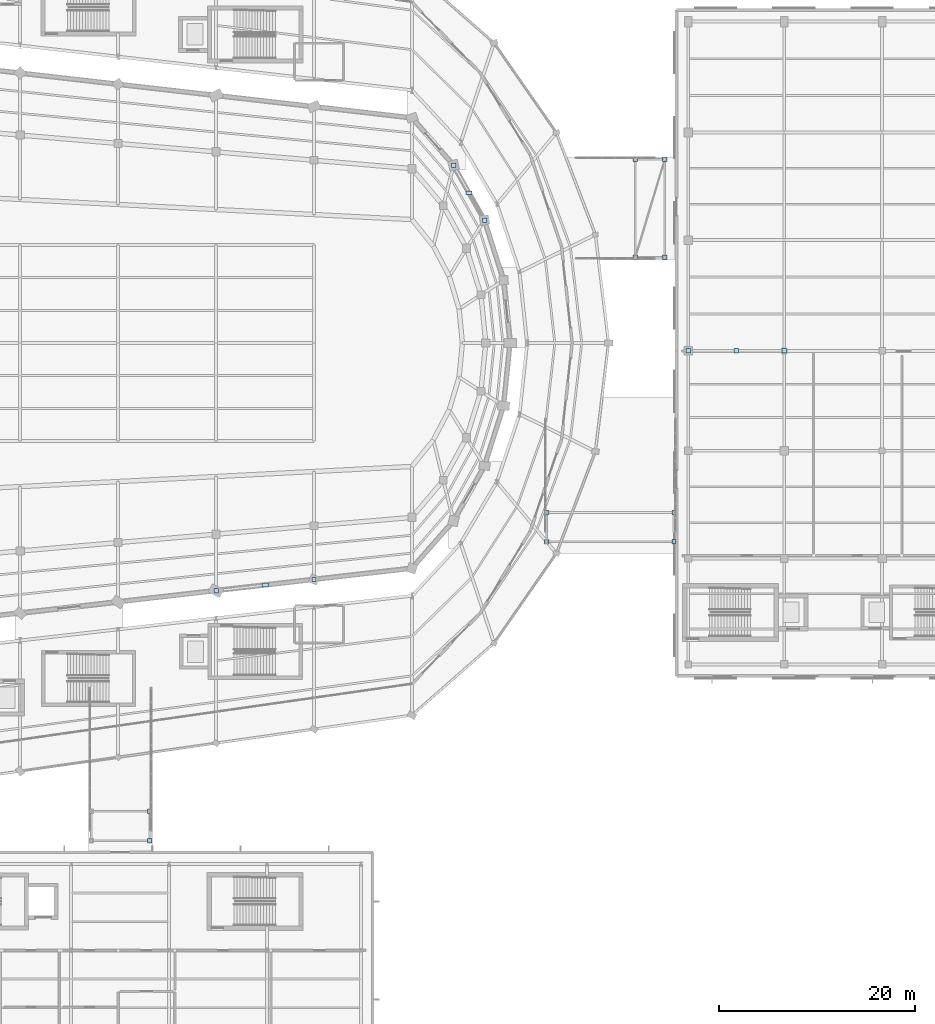
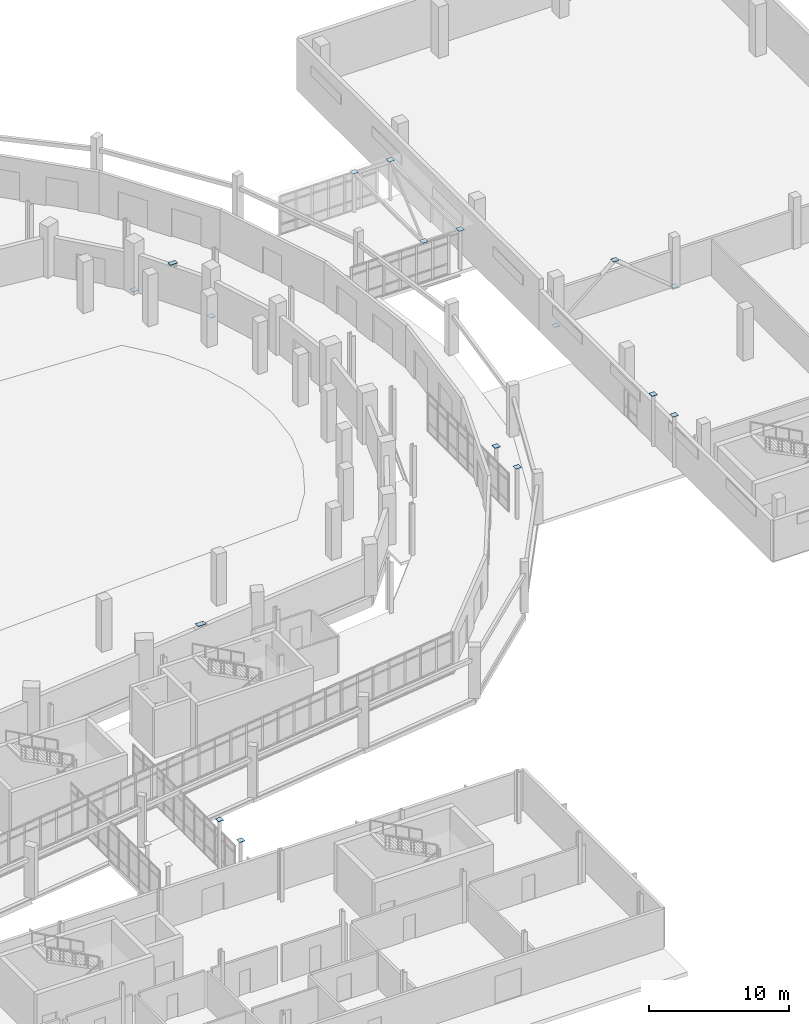
# One storey, part 98 of 122: 19 plates.
"""IFC4 building model written with IfcOpenShell, lengths in metres."""

from ifc_helpers import new_model, si_unit, direction, frame, origin, origin_2d, place, context, subcontext, project, spatial, rectangle, extrude, material, layer, layer_set, type_object, element, save


model = new_model("IFC4")

# Units and contexts
model_context = context("Model", 3, precision=1e-05, world=origin(), true_north=direction((0.0, 1.0)))
body_context = subcontext(model_context, "Body", "Model", "MODEL_VIEW")
ifc_project = project(units=[si_unit("LENGTHUNIT", "METRE"), si_unit("AREAUNIT", "SQUARE_METRE"), si_unit("VOLUMEUNIT", "CUBIC_METRE"), si_unit("PLANEANGLEUNIT", "RADIAN"), si_unit("MASSUNIT", "GRAM", prefix="KILO")], contexts=[model_context])

# Site, building, storey
site_placement = place(None, origin())
site = spatial("IfcSite", under=ifc_project, at=site_placement, CompositionType="ELEMENT")
building_placement = place(site_placement, origin())
building = spatial("IfcBuilding", under=site, at=building_placement, Name="Sohan Crest Arena", CompositionType="ELEMENT")
storey_placement = place(building_placement, origin())
storey = spatial("IfcBuildingStorey", under=building, at=storey_placement, Name="L00", CompositionType="ELEMENT", Elevation=0.0)

# Plates
ifc_material = material(Name="Steel S355", Category="steel")
ifc_layer_1 = layer(ifc_material, 0.031982421875, Name="Steel S355")
ifc_layer_set_1 = layer_set([ifc_layer_1], Name="Steel S355")
plate_type_1 = type_object("IfcPlateType", Name="STR-PL-BP01", PredefinedType="USERDEFINED", material=ifc_layer_set_1)
for number, where, z_axis, x_axis, name in (
    (1, (181.75, 57.699951171875, 4.487548828125), (0.0, 0.0, 1.0), (1.0, 0.0, 0.0), "Hollow section end cap plate ECP-0058"),
    (2, (181.75, 60.699951171875, 4.487548828125), (0.0, 0.0, 1.0), (1.0, 0.0, 0.0), "Hollow section end cap plate ECP-0062"),
    (3, (194.75, 57.699951171875, 4.487548828125), (0.0, 0.0, 1.0), (1.0, 0.0, 0.0), "Hollow section end cap plate ECP-0066"),
    (4, (194.75, 60.699951171875, 4.487548828125), (0.0, 0.0, 1.0), (1.0, 0.0, 0.0), "Hollow section end cap plate ECP-0070"),
    (5, (190.800048828125, 86.75, 3.462646484375), (0.0, 0.0, 1.0), (1.0, 0.0, 0.0), "Hollow section end cap plate ECP-0074"),
    (6, (193.800048828125, 86.75, 3.462646484375), (0.0, 0.0, 1.0), (1.0, 0.0, 0.0), "Hollow section end cap plate ECP-0076"),
    (7, (190.800048828125, 96.75, 3.462646484375), (0.0, 0.0, 1.0), (1.0, 0.0, 0.0), "Hollow section end cap plate ECP-0078"),
    (8, (193.800048828125, 96.75, 3.462646484375), (0.0, 0.0, 1.0), (1.0, 0.0, 0.0), "Hollow section end cap plate ECP-0080"),
    (9, (141.25, 27.199951171875, 4.487548828125), (0.0, 0.0, 1.0), (1.0, 0.0, 0.0), "Hollow section end cap plate ECP-0106"),
    (10, (141.25, 30.199951171875, 4.487548828125), (0.0, 0.0, 1.0), (1.0, 0.0, 0.0), "Hollow section end cap plate ECP-0110"),
    (11, (148.0, 52.714111328125, -0.012451171875), (0.0, 0.0, 1.0), (1.0, 0.0, 0.0), "Hollow section end cap plate ECP-0515"),
    (12, (158.0, 53.85693359375, -0.012451171875), (0.0, 0.0, 1.0), (1.0, 0.0, 0.0), "Hollow section end cap plate ECP-0516"),
    (13, (175.408935546875, 90.544921875, -0.012451171875), (0.0, 0.0, 1.0), (1.0, 0.0, 0.0), "Hollow section end cap plate ECP-0523"),
    (14, (172.242919921875, 96.154052734375, -0.012451171875), (0.0, 0.0, 1.0), (1.0, 0.0, 0.0), "Hollow section end cap plate ECP-0524"),
    (15, (196.199951171875, 77.199951171875, -0.012451171875), (0.0, 0.0, 1.0), (1.0, 0.0, 0.0), "Hollow section end cap plate ECP-0531"),
    (16, (201.10009765625, 77.199951171875, 4.007568359375), (0.0, 0.0, 1.0), (1.0, 0.0, 0.0), "Hollow section end cap plate ECP-0532"),
    (17, (206.0, 77.199951171875, -0.012451171875), (0.0, 0.0, 1.0), (1.0, 0.0, 0.0), "Hollow section end cap plate ECP-0533"),
):
    element("IfcPlate", number, at=place(storey_placement, frame(where, z_axis=z_axis, x_axis=x_axis)), inside=storey, type_object=plate_type_1, Name=name, ObjectType="BASE PLATE", PredefinedType="USERDEFINED", context=body_context, shape_type="SweptSolid", body=[
        extrude(rectangle(XDim=0.449951171875, YDim=0.449951171875, at=origin_2d()), origin(), (0.0, 0.0, 1.0), 0.02490234375),
    ])
ifc_layer_2 = layer(ifc_material, 0.02197265625, Name="Steel S355")
ifc_layer_set_2 = layer_set([ifc_layer_2], Name="Steel S355")
plate_type_2 = type_object("IfcPlateType", Name="STR-PL-SP02", PredefinedType="SHEET", material=ifc_layer_set_2)
plate_1_placement = place(storey_placement, frame((173.825927734375, 93.35009765625, 3.489013671875), z_axis=(0.0, 0.0, 1.0), x_axis=(1.0, 0.0, 0.0)))
element("IfcPlate", 18, at=plate_1_placement, inside=storey, type_object=plate_type_2, Name="Brace connection sheet plate SP-BR026", PredefinedType="SHEET", context=body_context, shape_type="SweptSolid", body=[
    extrude(rectangle(XDim=0.60009765625, YDim=0.3798828125, at=origin_2d()), origin(), (0.0, 0.0, 1.0), 0.02197265625),
])
ifc_layer_3 = layer(ifc_material, 0.02392578125, Name="Steel S355")
ifc_layer_set_3 = layer_set([ifc_layer_3], Name="Steel S355")
plate_type_3 = type_object("IfcPlateType", Name="STR-PL-SP04", PredefinedType="SHEET", material=ifc_layer_set_3)
plate_2_placement = place(storey_placement, frame((153.0, 53.284912109375, 3.488037109375), z_axis=(0.0, 0.0, 1.0), x_axis=(1.0, 0.0, 0.0)))
element("IfcPlate", 19, at=plate_2_placement, inside=storey, type_object=plate_type_3, Name="Brace connection sheet plate SP-BR018", PredefinedType="SHEET", context=body_context, shape_type="SweptSolid", body=[
    extrude(rectangle(XDim=0.659912109375, YDim=0.419921875, at=origin_2d()), origin(), (0.0, 0.0, 1.0), 0.02392578125),
])

save(model, "model.ifc")
